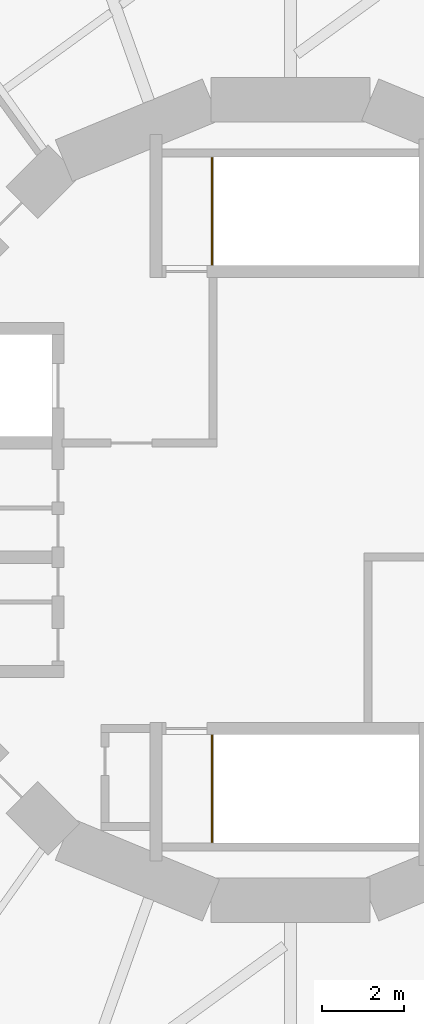
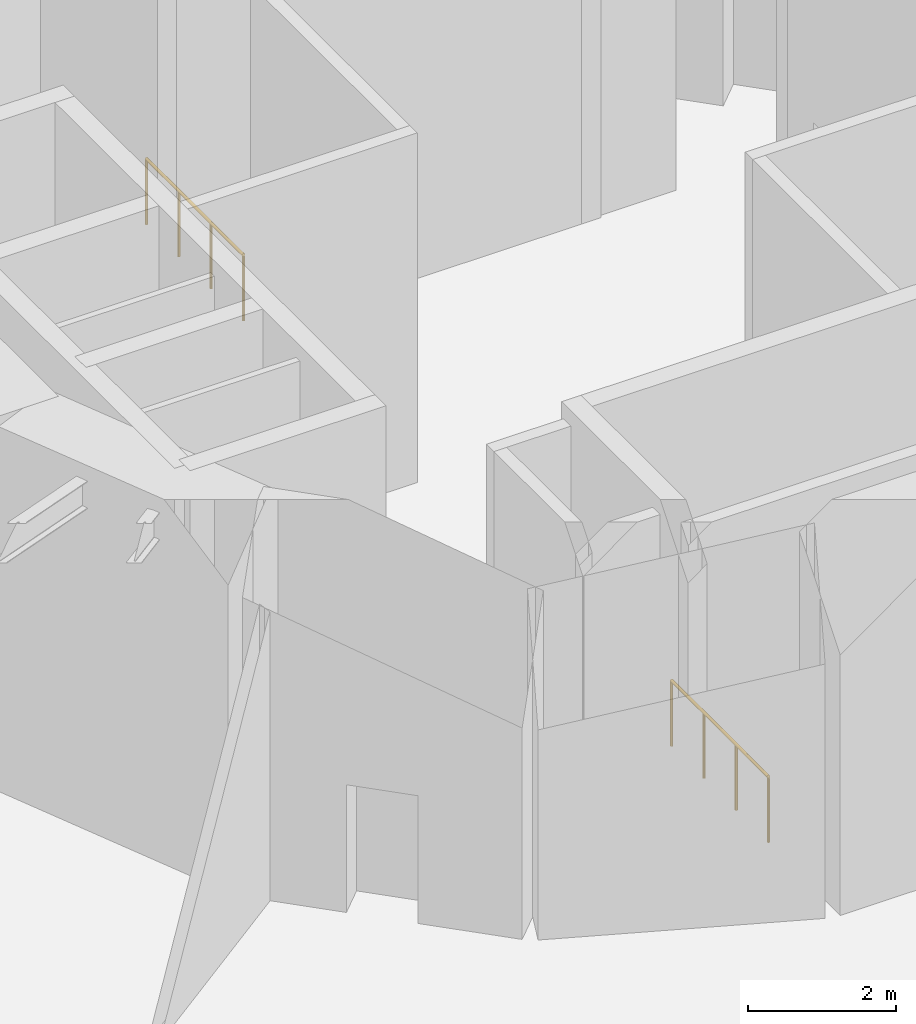
# One storey, part 17 of 17: 2 railings.
"""IFC4 building model written with IfcOpenShell, lengths in metres."""

from ifc_helpers import new_model, si_unit, direction, frame, origin, origin_2d, place, context, subcontext, project, spatial, circle, extrude, material, type_object, element, save


model = new_model("IFC4")

# Units and contexts
model_context = context("Model", 3, precision=1e-05, world=origin(), true_north=direction((0.0, 1.0)))
body_context = subcontext(model_context, "Body", "Model", "MODEL_VIEW")
ifc_project = project(units=[si_unit("LENGTHUNIT", "METRE"), si_unit("AREAUNIT", "SQUARE_METRE"), si_unit("VOLUMEUNIT", "CUBIC_METRE"), si_unit("PLANEANGLEUNIT", "RADIAN"), si_unit("MASSUNIT", "GRAM", prefix="KILO")], contexts=[model_context])

# Site, building, storey
site_placement = place(None, origin())
site = spatial("IfcSite", under=ifc_project, at=site_placement, CompositionType="ELEMENT")
building_placement = place(site_placement, origin())
building = spatial("IfcBuilding", under=site, at=building_placement, Name="Nakasero Lantern House", CompositionType="ELEMENT")
storey_placement = place(building_placement, frame((0.0, 0.0, 304.39990234375)))
storey = spatial("IfcBuildingStorey", under=building, at=storey_placement, Name="L74", CompositionType="ELEMENT", Elevation=304.39990234375)

# Railings
ifc_material = material(Name="Stainless steel 316", Category="steel")
railing_type = type_object("IfcRailingType", Name="Stair guard 1100", PredefinedType="GUARDRAIL", material=ifc_material)
for number, where, name in (
    (1, (-1.925048828125, 5.77001953125, 0.0), "Top landing guard ST1"),
    (2, (-1.925048828125, -8.3798828125, 0.0), "Top landing guard ST2"),
):
    element("IfcRailing", number, at=place(storey_placement, frame(where)), inside=storey, type_object=railing_type, Name=name, PredefinedType="GUARDRAIL", context=body_context, shape_type="SweptSolid", body=[
        extrude(circle(Radius=0.02392578125, at=origin_2d()), frame((0.0, 0.0, 1.076171875), z_axis=(0.0, 1.0, 0.0), x_axis=(-1.0, 0.0, 0.0)), (0.0, 0.0, 1.0), 2.60986328125),
        extrude(circle(Radius=0.02099609375, at=origin_2d()), origin(), (0.0, 0.0, 1.0), 1.052001953125),
        extrude(circle(Radius=0.02099609375, at=origin_2d()), frame((0.0, 0.869873046875, 0.0)), (0.0, 0.0, 1.0), 1.052001953125),
        extrude(circle(Radius=0.02099609375, at=origin_2d()), frame((0.0, 1.739990234375, 0.0)), (0.0, 0.0, 1.0), 1.052001953125),
        extrude(circle(Radius=0.02099609375, at=origin_2d()), frame((0.0, 2.60986328125, 0.0)), (0.0, 0.0, 1.0), 1.052001953125),
    ])

save(model, "model.ifc")
